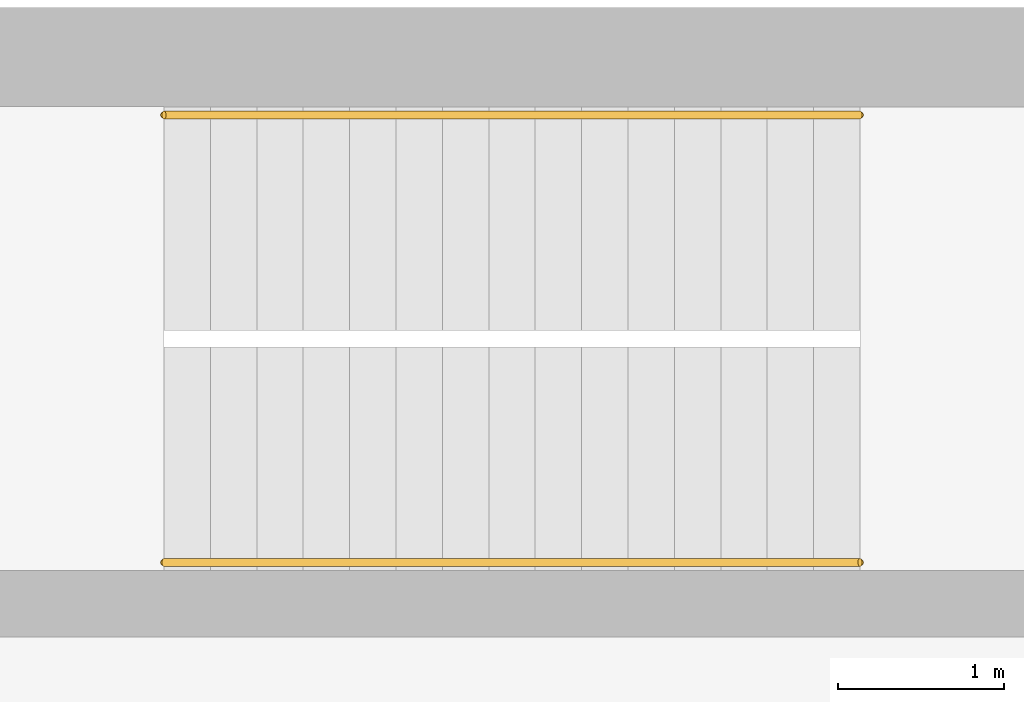
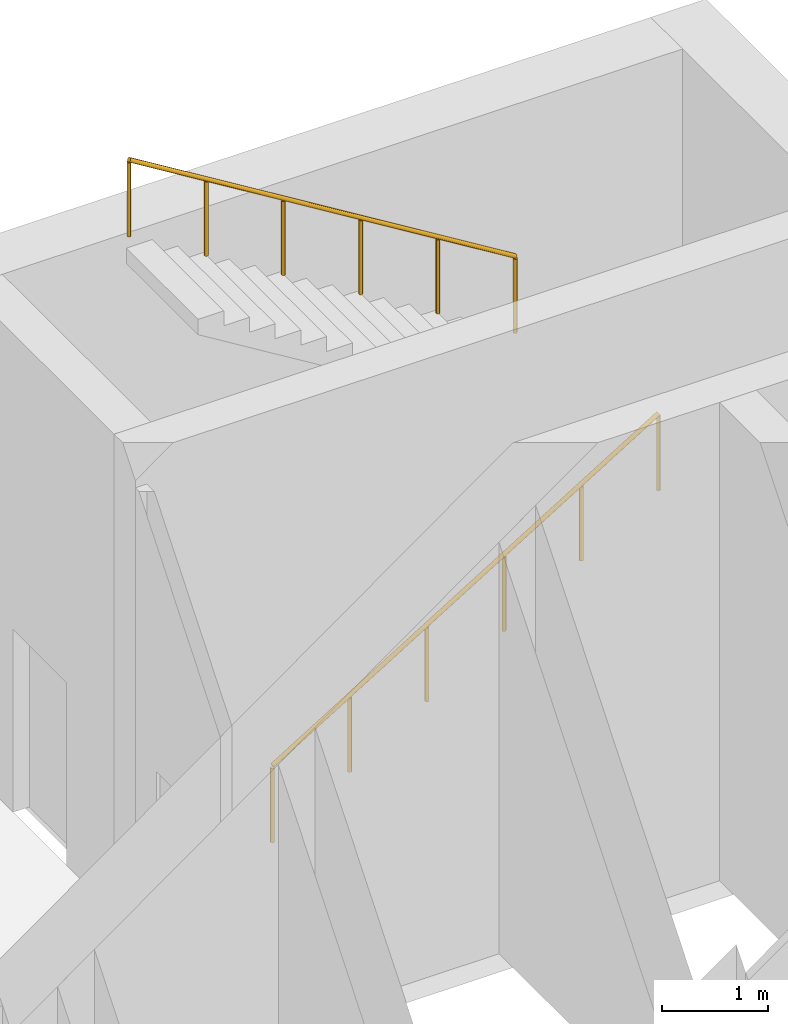
# One storey, part 17 of 19: 2 railings.
"""IFC4 building model written with IfcOpenShell, lengths in metres."""

from ifc_helpers import new_model, si_unit, direction, frame, origin, origin_2d, place, context, subcontext, project, spatial, circle, extrude, material, type_object, element, save


model = new_model("IFC4")

# Units and contexts
model_context = context("Model", 3, precision=1e-05, world=origin(), true_north=direction((0.0, 1.0)))
body_context = subcontext(model_context, "Body", "Model", "MODEL_VIEW")
ifc_project = project(units=[si_unit("LENGTHUNIT", "METRE"), si_unit("AREAUNIT", "SQUARE_METRE"), si_unit("VOLUMEUNIT", "CUBIC_METRE"), si_unit("PLANEANGLEUNIT", "RADIAN"), si_unit("MASSUNIT", "GRAM", prefix="KILO")], contexts=[model_context])

# Site, building, storey
site_placement = place(None, origin())
site = spatial("IfcSite", under=ifc_project, at=site_placement, CompositionType="ELEMENT")
building_placement = place(site_placement, origin())
building = spatial("IfcBuilding", under=site, at=building_placement, Name="Skarvind Civic Tower", CompositionType="ELEMENT")
storey_placement = place(building_placement, frame((0.0, 0.0, 129.0)))
storey = spatial("IfcBuildingStorey", under=building, at=storey_placement, Name="L30", CompositionType="ELEMENT", Elevation=129.0)

# Railings
ifc_material = material(Name="Painted steel handrail", Category="steel")
railing_type = type_object("IfcRailingType", Name="Stair handrail 900", PredefinedType="HANDRAIL", material=ifc_material)
railing_1_placement = place(storey_placement, frame((101.35009765625, 135.64990234375, 0.171875)))
element("IfcRailing", 1, at=railing_1_placement, inside=storey, type_object=railing_type, Name="Stair handrail", PredefinedType="HANDRAIL", context=body_context, shape_type="SweptSolid", body=[
    extrude(circle(Radius=0.02392578125, at=origin_2d()), frame((0.0, 0.0, 0.8759765625), z_axis=(0.852242915053, 0.0, 0.523146264196), x_axis=(0.0, 1.0, 0.0)), (0.0, 0.0, 1.0), 4.92822265625),
    extrude(circle(Radius=0.02099609375, at=origin_2d()), origin(), (0.0, 0.0, 1.0), 0.851806640625),
    extrude(circle(Radius=0.02099609375, at=origin_2d()), frame((0.840087890625, 0.0, 0.515625)), (0.0, 0.0, 1.0), 0.851806640625),
    extrude(circle(Radius=0.02099609375, at=origin_2d()), frame((1.679931640625, 0.0, 1.03125)), (0.0, 0.0, 1.0), 0.851806640625),
    extrude(circle(Radius=0.02099609375, at=origin_2d()), frame((2.52001953125, 0.0, 1.546875)), (0.0, 0.0, 1.0), 0.851806640625),
    extrude(circle(Radius=0.02099609375, at=origin_2d()), frame((3.35986328125, 0.0, 2.0625)), (0.0, 0.0, 1.0), 0.851806640625),
    extrude(circle(Radius=0.02099609375, at=origin_2d()), frame((4.199951171875, 0.0, 2.578125)), (0.0, 0.0, 1.0), 0.851806640625),
])
railing_2_placement = place(storey_placement, frame((105.550048828125, 138.35009765625, 2.921875)))
element("IfcRailing", 2, at=railing_2_placement, inside=storey, type_object=railing_type, Name="Stair handrail", PredefinedType="HANDRAIL", context=body_context, shape_type="SweptSolid", body=[
    extrude(circle(Radius=0.02392578125, at=origin_2d()), frame((0.0, 0.0, 0.8759765625), z_axis=(-0.852242915053, 0.0, 0.523146264196), x_axis=(0.0, -1.0, 0.0)), (0.0, 0.0, 1.0), 4.92822265625),
    extrude(circle(Radius=0.02099609375, at=origin_2d()), origin(), (0.0, 0.0, 1.0), 0.851806640625),
    extrude(circle(Radius=0.02099609375, at=origin_2d()), frame((-0.840087890625, 0.0, 0.515625)), (0.0, 0.0, 1.0), 0.851806640625),
    extrude(circle(Radius=0.02099609375, at=origin_2d()), frame((-1.679931640625, 0.0, 1.03125)), (0.0, 0.0, 1.0), 0.851806640625),
    extrude(circle(Radius=0.02099609375, at=origin_2d()), frame((-2.52001953125, 0.0, 1.546875)), (0.0, 0.0, 1.0), 0.851806640625),
    extrude(circle(Radius=0.02099609375, at=origin_2d()), frame((-3.35986328125, 0.0, 2.0625)), (0.0, 0.0, 1.0), 0.851806640625),
    extrude(circle(Radius=0.02099609375, at=origin_2d()), frame((-4.199951171875, 0.0, 2.578125)), (0.0, 0.0, 1.0), 0.851806640625),
])

save(model, "model.ifc")
